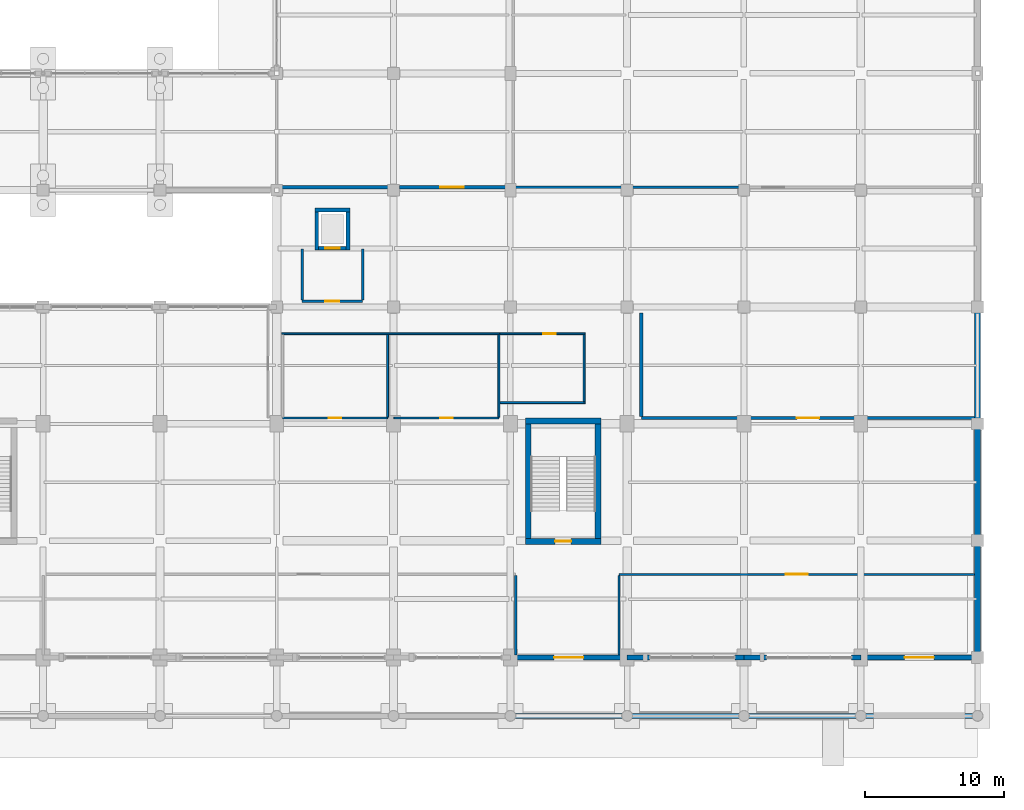
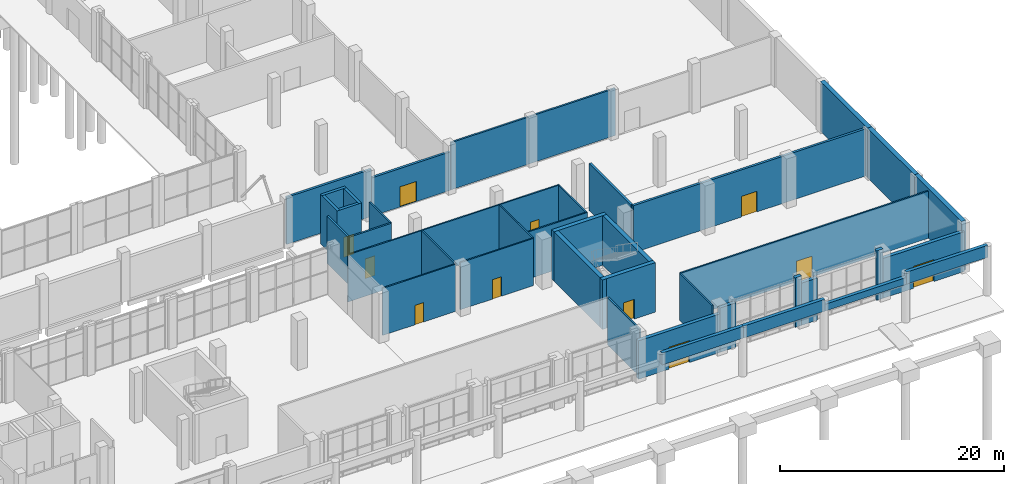
# One storey, part 71 of 82: 40 walls, 11 doors, 11 openings.
"""IFC4 building model written with IfcOpenShell, lengths in metres."""

from ifc_helpers import new_model, si_unit, derived_unit, direction, frame, frame_2d, origin, place, context, subcontext, project, spatial, rectangle, extrude, material, layer, layer_set, type_object, element, fill, save


model = new_model("IFC4")

# Units and contexts
model_context = context("Model", 3, precision=1e-05, world=origin(), true_north=direction((0.0, 1.0)))
body_context = subcontext(model_context, "Body", "Model", "MODEL_VIEW")
ifc_project = project(units=[si_unit("LENGTHUNIT", "METRE"), si_unit("AREAUNIT", "SQUARE_METRE"), si_unit("VOLUMEUNIT", "CUBIC_METRE"), si_unit("PLANEANGLEUNIT", "RADIAN"), si_unit("MASSUNIT", "GRAM", prefix="KILO"), derived_unit("THERMALTRANSMITTANCEUNIT", [(si_unit("POWERUNIT", "WATT"), 1), (si_unit("LENGTHUNIT", "METRE"), -2), (si_unit("THERMODYNAMICTEMPERATUREUNIT", "KELVIN"), -1)])], contexts=[model_context])

# Site, building, storey
site_placement = place(None, origin())
site = spatial("IfcSite", under=ifc_project, at=site_placement, CompositionType="ELEMENT")
building_placement = place(site_placement, origin())
building = spatial("IfcBuilding", under=site, at=building_placement, Name="Barrovel Congress Hotel", CompositionType="ELEMENT")
storey_placement = place(building_placement, origin())
storey = spatial("IfcBuildingStorey", under=building, at=storey_placement, Name="L00", CompositionType="ELEMENT", Elevation=0.0)

# Walls
ifc_material_1 = material(Name="Fired Clay Brick Masonry", Category="masonry")
ifc_layer_1 = layer(ifc_material_1, 0.35009765625)
ifc_layer_set_1 = layer_set([ifc_layer_1], Name="Fired Clay Brick Masonry")
wall_type_1 = type_object("IfcWallType", Name="EW-ARC350", PredefinedType="STANDARD", material=ifc_layer_set_1)
wall_1_placement = place(storey_placement, frame((142.800048828125, 0.0, 4.10009765625), z_axis=(0.0, 0.0, 1.0), x_axis=(1.0, 0.0, 0.0)))
element("IfcWall", 1, at=wall_1_placement, inside=storey, type_object=wall_type_1, Name="EW:L00:ARC:17", PredefinedType="STANDARD", context=body_context, shape_type="SweptSolid", body=[
    extrude(rectangle(XDim=8.39990234375, YDim=0.35009765625, at=frame_2d((4.199951171875, 0.0))), origin(), (0.0, 0.0, 1.0), 1.2998046875),
])
wall_2_placement = place(storey_placement, frame((151.199951171875, 0.0, 4.10009765625), z_axis=(0.0, 0.0, 1.0), x_axis=(1.0, 0.0, 0.0)))
element("IfcWall", 2, at=wall_2_placement, inside=storey, type_object=wall_type_1, Name="EW:L00:ARC:18", PredefinedType="STANDARD", context=body_context, shape_type="SweptSolid", body=[
    extrude(rectangle(XDim=8.400146484375, YDim=0.35009765625, at=frame_2d((4.2001953125, 0.0))), origin(), (0.0, 0.0, 1.0), 1.2998046875),
])
wall_3_placement = place(storey_placement, frame((159.60009765625, 0.0, 4.10009765625), z_axis=(0.0, 0.0, 1.0), x_axis=(1.0, 0.0, 0.0)))
element("IfcWall", 3, at=wall_3_placement, inside=storey, type_object=wall_type_1, Name="EW:L00:ARC:19", PredefinedType="STANDARD", context=body_context, shape_type="SweptSolid", body=[
    extrude(rectangle(XDim=8.39990234375, YDim=0.35009765625, at=frame_2d((4.199951171875, 0.0))), origin(), (0.0, 0.0, 1.0), 0.735107421875),
])
wall_4_placement = place(storey_placement, frame((168.0, 0.0, 4.10009765625), z_axis=(0.0, 0.0, 1.0), x_axis=(1.0, 0.0, 0.0)))
element("IfcWall", 4, at=wall_4_placement, inside=storey, type_object=wall_type_1, Name="EW:L00:ARC:20", PredefinedType="STANDARD", context=body_context, shape_type="SweptSolid", body=[
    extrude(rectangle(XDim=8.39990234375, YDim=0.35009765625, at=frame_2d((4.199951171875, 0.0))), origin(), (0.0, 0.0, 1.0), 1.2998046875),
])

# Wall, opening, door
ifc_layer_2 = layer(ifc_material_1, 0.360107421875)
ifc_layer_set_2 = layer_set([ifc_layer_2], Name="Fired Clay Brick Masonry")
wall_type_2 = type_object("IfcWallType", Name="EW-BRK360", PredefinedType="STANDARD", material=ifc_layer_set_2)
wall_5_placement = place(storey_placement, frame((142.800048828125, 4.199951171875, 0.0), z_axis=(0.0, 0.0, 1.0), x_axis=(1.0, 0.0, 0.0)))
wall_5 = element("IfcWall", 5, at=wall_5_placement, inside=storey, type_object=wall_type_2, Name="EW:L00:S:17", PredefinedType="STANDARD", context=body_context, shape_type="SweptSolid", body=[
    extrude(rectangle(XDim=8.39990234375, YDim=0.360107421875, at=frame_2d((4.199951171875, 0.0))), origin(), (0.0, 0.0, 1.0), 4.18994140625),
])
opening_1_placement = place(wall_5_placement, frame((5.25, 0.0, 0.0), z_axis=(0.0, 0.0, 1.0), x_axis=(-1.0, 0.0, 0.0)))
opening_1 = element("IfcOpeningElement", 6, at=opening_1_placement, cuts=wall_5, Name="Opening ED-01", PredefinedType="OPENING", context=body_context, shape_type="SweptSolid", body=[
    extrude(rectangle(XDim=2.10009765625, YDim=2.39990234375, at=frame_2d((1.050048828125, 1.199951171875))), frame((0.0, 0.18994140625, 0.0), z_axis=(0.0, -1.0, 0.0), x_axis=(1.0, 0.0, 0.0)), (0.0, 0.0, 1.0), 0.380126953125),
])
ifc_material_2 = material(Name="Anodised Aluminium Glazed Door", Category="aluminium")
door_type_1 = type_object("IfcDoorType", Name="EDR-ED-01", OperationType="NOTDEFINED", PredefinedType="DOOR", material=ifc_material_2)
door_1_placement = place(opening_1_placement, origin())
door_1 = element("IfcDoor", 7, at=door_1_placement, inside=storey, type_object=door_type_1, Name="Grade Exit Door E-05", OperationType="DOUBLE_DOOR_SINGLE_SWING", OverallHeight=2.39990234375, OverallWidth=2.10009765625, PredefinedType="DOOR", context=body_context, shape_type="SweptSolid", body=[
    extrude(rectangle(XDim=2.10009765625, YDim=2.39990234375, at=frame_2d((1.050048828125, 1.199951171875))), frame((0.0, 0.02490234375, 0.0), z_axis=(0.0, -1.0, 0.0), x_axis=(1.0, 0.0, 0.0)), (0.0, 0.0, 1.0), 0.050048828125),
])
fill(opening_1, door_1)

# Walls
wall_6_placement = place(storey_placement, frame((151.199951171875, 4.199951171875, 0.0), z_axis=(0.0, 0.0, 1.0), x_axis=(1.0, 0.0, 0.0)))
element("IfcWall", 8, at=wall_6_placement, inside=storey, type_object=wall_type_2, Name="EW:L00:SJ-L:18", PredefinedType="STANDARD", context=body_context, shape_type="SweptSolid", body=[
    extrude(rectangle(XDim=1.6201171875, YDim=0.360107421875, at=frame_2d((0.81005859375, 0.0))), origin(), (0.0, 0.0, 1.0), 4.830078125),
])
wall_7_placement = place(storey_placement, frame((158.93994140625, 4.199951171875, 0.0), z_axis=(0.0, 0.0, 1.0), x_axis=(1.0, 0.0, 0.0)))
element("IfcWall", 9, at=wall_7_placement, inside=storey, type_object=wall_type_2, Name="EW:L00:SJ-R:18", PredefinedType="STANDARD", context=body_context, shape_type="SweptSolid", body=[
    extrude(rectangle(XDim=0.66015625, YDim=0.360107421875, at=frame_2d((0.330078125, 0.0))), origin(), (0.0, 0.0, 1.0), 5.39990234375),
])
wall_8_placement = place(storey_placement, frame((159.60009765625, 4.199951171875, 0.0), z_axis=(0.0, 0.0, 1.0), x_axis=(1.0, 0.0, 0.0)))
element("IfcWall", 10, at=wall_8_placement, inside=storey, type_object=wall_type_2, Name="EW:L00:SJ-L:19", PredefinedType="STANDARD", context=body_context, shape_type="SweptSolid", body=[
    extrude(rectangle(XDim=1.619873046875, YDim=0.360107421875, at=frame_2d((0.81005859375, 0.0))), origin(), (0.0, 0.0, 1.0), 4.60693359375),
])
wall_9_placement = place(storey_placement, frame((167.340087890625, 4.199951171875, 0.0), z_axis=(0.0, 0.0, 1.0), x_axis=(1.0, 0.0, 0.0)))
element("IfcWall", 11, at=wall_9_placement, inside=storey, type_object=wall_type_2, Name="EW:L00:SJ-R:19", PredefinedType="STANDARD", context=body_context, shape_type="SweptSolid", body=[
    extrude(rectangle(XDim=0.659912109375, YDim=0.360107421875, at=frame_2d((0.330078125, 0.0))), origin(), (0.0, 0.0, 1.0), 5.39990234375),
])

# Wall, opening, door
wall_10_placement = place(storey_placement, frame((168.0, 4.199951171875, 0.0), z_axis=(0.0, 0.0, 1.0), x_axis=(1.0, 0.0, 0.0)))
wall_10 = element("IfcWall", 12, at=wall_10_placement, inside=storey, type_object=wall_type_2, Name="EW:L00:S:20", PredefinedType="STANDARD", context=body_context, shape_type="SweptSolid", body=[
    extrude(rectangle(XDim=8.39990234375, YDim=0.360107421875, at=frame_2d((4.199951171875, 0.0))), origin(), (0.0, 0.0, 1.0), 4.340087890625),
])
opening_2_placement = place(wall_10_placement, frame((5.25, 0.0, 0.0), z_axis=(0.0, 0.0, 1.0), x_axis=(-1.0, 0.0, 0.0)))
opening_2 = element("IfcOpeningElement", 13, at=opening_2_placement, cuts=wall_10, Name="Opening ED-01", PredefinedType="OPENING", context=body_context, shape_type="SweptSolid", body=[
    extrude(rectangle(XDim=2.10009765625, YDim=2.39990234375, at=frame_2d((1.050048828125, 1.199951171875))), frame((0.0, 0.18994140625, 0.0), z_axis=(0.0, -1.0, 0.0), x_axis=(1.0, 0.0, 0.0)), (0.0, 0.0, 1.0), 0.380126953125),
])
door_2_placement = place(opening_2_placement, origin())
door_2 = element("IfcDoor", 14, at=door_2_placement, inside=storey, type_object=door_type_1, Name="Grade Exit Door E-06", OperationType="DOUBLE_DOOR_SINGLE_SWING", OverallHeight=2.39990234375, OverallWidth=2.10009765625, PredefinedType="DOOR", context=body_context, shape_type="SweptSolid", body=[
    extrude(rectangle(XDim=2.10009765625, YDim=2.39990234375, at=frame_2d((1.050048828125, 1.199951171875))), frame((0.0, 0.02490234375, 0.0), z_axis=(0.0, -1.0, 0.0), x_axis=(1.0, 0.0, 0.0)), (0.0, 0.0, 1.0), 0.050048828125),
])
fill(opening_2, door_2)

# Walls
ifc_layer_3 = layer(ifc_material_1, 0.449951171875)
ifc_layer_set_3 = layer_set([ifc_layer_3], Name="Fired Clay Brick Masonry")
wall_type_3 = type_object("IfcWallType", Name="EW-PW450", PredefinedType="STANDARD", material=ifc_layer_set_3)
wall_11_placement = place(storey_placement, frame((176.39990234375, 4.199951171875, 0.0), z_axis=(0.0, 0.0, 1.0), x_axis=(0.0, 1.0, 0.0)))
element("IfcWall", 15, at=wall_11_placement, inside=storey, type_object=wall_type_3, Name="EW:L00:PARTY:4.2", PredefinedType="STANDARD", context=body_context, shape_type="SweptSolid", body=[
    extrude(rectangle(XDim=8.400146484375, YDim=0.449951171875, at=frame_2d((4.2001953125, 0.0))), origin(), (0.0, 0.0, 1.0), 5.39990234375),
])
for number, where, z_axis, x_axis, name in (
    (16, (176.39990234375, 12.60009765625, 0.0), (0.0, 0.0, 1.0), (0.0, 1.0, 0.0), "EW:L00:PARTY:12.6"),
    (17, (176.39990234375, 21.0, 0.0), (0.0, 0.0, 1.0), (0.0, 1.0, 0.0), "EW:L00:PARTY:21.0"),
):
    element("IfcWall", number, at=place(storey_placement, frame(where, z_axis=z_axis, x_axis=x_axis)), inside=storey, type_object=wall_type_3, Name=name, PredefinedType="STANDARD", context=body_context, shape_type="SweptSolid", body=[
        extrude(rectangle(XDim=8.39990234375, YDim=0.449951171875, at=frame_2d((4.199951171875, 0.0))), origin(), (0.0, 0.0, 1.0), 5.39990234375),
    ])

# Wall, opening, door
ifc_material_3 = material(Name="Gypsum Acoustic Stud", Category="gypsum")
ifc_layer_4 = layer(ifc_material_3, 0.179931640625)
ifc_layer_set_4 = layer_set([ifc_layer_4], Name="Gypsum Acoustic Stud")
wall_type_4 = type_object("IfcWallType", Name="PW-ACU-180", PredefinedType="PARTITIONING", material=ifc_layer_set_4)
wall_12_placement = place(storey_placement, frame((127.820068359375, 29.820068359375, 0.0), z_axis=(0.0, 0.0, 1.0), x_axis=(1.0, 0.0, 0.0)))
wall_12 = element("IfcWall", 18, at=wall_12_placement, inside=storey, type_object=wall_type_4, Name="RW:SP:L00:LL-CL2:S", PredefinedType="PARTITIONING", context=body_context, shape_type="SweptSolid", body=[
    extrude(rectangle(XDim=4.35986328125, YDim=0.179931640625, at=frame_2d((2.179931640625, 0.0))), origin(), (0.0, 0.0, 1.0), 5.135009765625),
])
opening_3_placement = place(wall_12_placement, frame((1.669921875, 0.0, 0.0)))
opening_3 = element("IfcOpeningElement", 19, at=opening_3_placement, cuts=wall_12, Name="Opening ID-ACC", PredefinedType="OPENING", context=body_context, shape_type="SweptSolid", body=[
    extrude(rectangle(XDim=1.02001953125, YDim=2.14990234375, at=frame_2d((0.510009765625, 1.074951171875))), frame((0.0, 0.10009765625, 0.0), z_axis=(0.0, -1.0, 0.0), x_axis=(1.0, 0.0, 0.0)), (0.0, 0.0, 1.0), 0.199951171875),
])
ifc_material_4 = material(Name="Solid Oak Acoustic Timber Door", Category="wood")
door_type_2 = type_object("IfcDoorType", Name="IDR-ID-ACC", OperationType="NOTDEFINED", PredefinedType="DOOR", material=ifc_material_4)
door_3_placement = place(opening_3_placement, origin())
door_3 = element("IfcDoor", 20, at=door_3_placement, inside=storey, type_object=door_type_2, Name="RD:SP:L00:LL-CL2", OperationType="SINGLE_SWING_LEFT", OverallHeight=2.14990234375, OverallWidth=1.02001953125, PredefinedType="DOOR", context=body_context, shape_type="SweptSolid", body=[
    extrude(rectangle(XDim=1.02001953125, YDim=2.14990234375, at=frame_2d((0.510009765625, 1.074951171875))), frame((0.0, 0.02490234375, 0.0), z_axis=(0.0, -1.0, 0.0), x_axis=(1.0, 0.0, 0.0)), (0.0, 0.0, 1.0), 0.050048828125),
])
fill(opening_3, door_3)

# Walls
for number, where, z_axis, x_axis, name in (
    (21, (127.820068359375, 29.909912109375, 0.0), (0.0, 0.0, 1.0), (0.0, 1.0, 0.0), "RW:SP:L00:LL-CL2:W"),
    (22, (132.179931640625, 29.909912109375, 0.0), (0.0, 0.0, 1.0), (0.0, 1.0, 0.0), "RW:SP:L00:LL-CL2:E"),
):
    element("IfcWall", number, at=place(storey_placement, frame(where, z_axis=z_axis, x_axis=x_axis)), inside=storey, type_object=wall_type_4, Name=name, PredefinedType="PARTITIONING", context=body_context, shape_type="SweptSolid", body=[
        extrude(rectangle(XDim=3.670166015625, YDim=0.179931640625, at=frame_2d((1.8349609375, 0.0))), origin(), (0.0, 0.0, 1.0), 5.135009765625),
    ])
wall_13_placement = place(storey_placement, frame((143.179931640625, 4.3798828125, 0.0), z_axis=(0.0, 0.0, 1.0), x_axis=(0.0, 1.0, 0.0)))
element("IfcWall", 23, at=wall_13_placement, inside=storey, type_object=wall_type_4, Name="RW:SP:L00:ADD:E", PredefinedType="PARTITIONING", context=body_context, shape_type="SweptSolid", body=[
    extrude(rectangle(XDim=5.710205078125, YDim=0.179931640625, at=frame_2d((2.85498046875, 0.0))), origin(), (0.0, 0.0, 1.0), 5.135009765625),
])
wall_14_placement = place(storey_placement, frame((143.02001953125, 38.02001953125, 0.0), z_axis=(0.0, 0.0, 1.0), x_axis=(1.0, 0.0, 0.0)))
element("IfcWall", 24, at=wall_14_placement, inside=storey, type_object=wall_type_4, Name="RW:SP:L00:BALL:S", PredefinedType="PARTITIONING", context=body_context, shape_type="SweptSolid", body=[
    extrude(rectangle(XDim=16.97998046875, YDim=0.179931640625, at=frame_2d((8.489990234375, 0.0))), origin(), (0.0, 0.0, 1.0), 5.135009765625),
])

# Wall, opening, door
ifc_layer_5 = layer(ifc_material_1, 0.239990234375)
ifc_layer_set_5 = layer_set([ifc_layer_5], Name="Fired Clay Brick Masonry")
wall_type_5 = type_object("IfcWallType", Name="PW-MAS-240", PredefinedType="PARTITIONING", material=ifc_layer_set_5)
wall_15_placement = place(storey_placement, frame((152.219970703125, 21.419921875, 0.0), z_axis=(0.0, 0.0, 1.0), x_axis=(1.0, 0.0, 0.0)))
wall_15 = element("IfcWall", 25, at=wall_15_placement, inside=storey, type_object=wall_type_5, Name="RW:SP:L00:LUGG:S", PredefinedType="PARTITIONING", context=body_context, shape_type="SweptSolid", body=[
    extrude(rectangle(XDim=23.955078125, YDim=0.239990234375, at=frame_2d((11.9775390625, 0.0))), origin(), (0.0, 0.0, 1.0), 5.135009765625),
])
opening_4_placement = place(wall_15_placement, frame((11.177490234375, 0.0, 0.0)))
opening_4 = element("IfcOpeningElement", 26, at=opening_4_placement, cuts=wall_15, Name="Opening ID-MTG", PredefinedType="OPENING", context=body_context, shape_type="SweptSolid", body=[
    extrude(rectangle(XDim=1.60009765625, YDim=2.25, at=frame_2d((0.800048828125, 1.125))), frame((0.0, 0.1298828125, 0.0), z_axis=(0.0, -1.0, 0.0), x_axis=(1.0, 0.0, 0.0)), (0.0, 0.0, 1.0), 0.260009765625),
])
door_type_3 = type_object("IfcDoorType", Name="IDR-ID-MTG", OperationType="NOTDEFINED", PredefinedType="DOOR", material=ifc_material_4)
door_4_placement = place(opening_4_placement, origin())
door_4 = element("IfcDoor", 27, at=door_4_placement, inside=storey, type_object=door_type_3, Name="RD:SP:L00:LUGG", OperationType="DOUBLE_DOOR_SINGLE_SWING", OverallHeight=2.25, OverallWidth=1.60009765625, PredefinedType="DOOR", context=body_context, shape_type="SweptSolid", body=[
    extrude(rectangle(XDim=1.60009765625, YDim=2.25, at=frame_2d((0.800048828125, 1.125))), frame((0.0, 0.02490234375, 0.0), z_axis=(0.0, -1.0, 0.0), x_axis=(1.0, 0.0, 0.0)), (0.0, 0.0, 1.0), 0.050048828125),
])
fill(opening_4, door_4)

# Walls
wall_16_placement = place(storey_placement, frame((152.219970703125, 21.5400390625, 0.0), z_axis=(0.0, 0.0, 1.0), x_axis=(0.0, 1.0, 0.0)))
element("IfcWall", 28, at=wall_16_placement, inside=storey, type_object=wall_type_5, Name="RW:SP:L00:LUGG:W", PredefinedType="PARTITIONING", context=body_context, shape_type="SweptSolid", body=[
    extrude(rectangle(XDim=7.43994140625, YDim=0.239990234375, at=frame_2d((3.719970703125, 0.0))), origin(), (0.0, 0.0, 1.0), 5.135009765625),
])
wall_17_placement = place(storey_placement, frame((126.080078125, 38.02001953125, 0.0), z_axis=(0.0, 0.0, 1.0), x_axis=(1.0, 0.0, 0.0)))
element("IfcWall", 29, at=wall_17_placement, inside=storey, type_object=wall_type_5, Name="RW:SP:L00:MKIT:S", PredefinedType="PARTITIONING", context=body_context, shape_type="SweptSolid", body=[
    extrude(rectangle(XDim=8.744873046875, YDim=0.239990234375, at=frame_2d((4.37255859375, 0.0))), origin(), (0.0, 0.0, 1.0), 5.135009765625),
])

# Wall, opening, door
wall_18_placement = place(storey_placement, frame((134.824951171875, 38.02001953125, 0.0), z_axis=(0.0, 0.0, 1.0), x_axis=(1.0, 0.0, 0.0)))
wall_18 = element("IfcWall", 30, at=wall_18_placement, inside=storey, type_object=wall_type_5, Name="RW:SP:L00:MKIT:S:P02", PredefinedType="PARTITIONING", context=body_context, shape_type="SweptSolid", body=[
    extrude(rectangle(XDim=8.1201171875, YDim=0.239990234375, at=frame_2d((4.06005859375, 0.0))), origin(), (0.0, 0.0, 1.0), 4.18994140625),
])
opening_5_placement = place(wall_18_placement, frame((2.925048828125, 0.0, 0.0)))
opening_5 = element("IfcOpeningElement", 31, at=opening_5_placement, cuts=wall_18, Name="Opening ID-KIT", PredefinedType="OPENING", context=body_context, shape_type="SweptSolid", body=[
    extrude(rectangle(XDim=1.699951171875, YDim=2.199951171875, at=frame_2d((0.85009765625, 1.10009765625))), frame((0.0, 0.1298828125, 0.0), z_axis=(0.0, -1.0, 0.0), x_axis=(1.0, 0.0, 0.0)), (0.0, 0.0, 1.0), 0.260009765625),
])
ifc_material_5 = material(Name="Brushed Stainless Steel", Category="steel")
door_type_4 = type_object("IfcDoorType", Name="IDR-ID-KIT", OperationType="NOTDEFINED", PredefinedType="DOOR", material=ifc_material_5)
door_5_placement = place(opening_5_placement, origin())
door_5 = element("IfcDoor", 32, at=door_5_placement, inside=storey, type_object=door_type_4, Name="RD:SP:L00:MKIT", OperationType="DOUBLE_DOOR_SINGLE_SWING", OverallHeight=2.199951171875, OverallWidth=1.699951171875, PredefinedType="DOOR", context=body_context, shape_type="SweptSolid", body=[
    extrude(rectangle(XDim=1.699951171875, YDim=2.199951171875, at=frame_2d((0.85009765625, 1.10009765625))), frame((0.0, 0.02490234375, 0.0), z_axis=(0.0, -1.0, 0.0), x_axis=(1.0, 0.0, 0.0)), (0.0, 0.0, 1.0), 0.050048828125),
])
fill(opening_5, door_5)

ifc_layer_6 = layer(ifc_material_3, 0.14990234375)
ifc_layer_set_6 = layer_set([ifc_layer_6], Name="Gypsum Acoustic Stud")
wall_type_6 = type_object("IfcWallType", Name="PW-STD-150", PredefinedType="PARTITIONING", material=ifc_layer_set_6)
wall_19_placement = place(storey_placement, frame((150.6201171875, 10.179931640625, 0.0), z_axis=(0.0, 0.0, 1.0), x_axis=(1.0, 0.0, 0.0)))
wall_19 = element("IfcWall", 33, at=wall_19_placement, inside=storey, type_object=wall_type_6, Name="RW:SP:L00:SPEC-R:N", PredefinedType="PARTITIONING", context=body_context, shape_type="SweptSolid", body=[
    extrude(rectangle(XDim=25.554931640625, YDim=0.14990234375, at=frame_2d((12.77734375, 0.0))), origin(), (0.0, 0.0, 1.0), 5.135009765625),
])
opening_6_placement = place(wall_19_placement, frame((11.9775390625, 0.0, 0.0)))
opening_6 = element("IfcOpeningElement", 34, at=opening_6_placement, cuts=wall_19, Name="Opening ID-MTG", PredefinedType="OPENING", context=body_context, shape_type="SweptSolid", body=[
    extrude(rectangle(XDim=1.60009765625, YDim=2.25, at=frame_2d((0.800048828125, 1.125))), frame((0.0, 0.0849609375, 0.0), z_axis=(0.0, -1.0, 0.0), x_axis=(1.0, 0.0, 0.0)), (0.0, 0.0, 1.0), 0.169921875),
])
door_6_placement = place(opening_6_placement, origin())
door_6 = element("IfcDoor", 35, at=door_6_placement, inside=storey, type_object=door_type_3, Name="RD:SP:L00:SPEC-R", OperationType="DOUBLE_DOOR_SINGLE_SWING", OverallHeight=2.25, OverallWidth=1.60009765625, PredefinedType="DOOR", context=body_context, shape_type="SweptSolid", body=[
    extrude(rectangle(XDim=1.60009765625, YDim=2.25, at=frame_2d((0.800048828125, 1.125))), frame((0.0, 0.02490234375, 0.0), z_axis=(0.0, -1.0, 0.0), x_axis=(1.0, 0.0, 0.0)), (0.0, 0.0, 1.0), 0.050048828125),
])
fill(opening_6, door_6)

# Walls
wall_20_placement = place(storey_placement, frame((150.6201171875, 4.3798828125, 0.0), z_axis=(0.0, 0.0, 1.0), x_axis=(0.0, 1.0, 0.0)))
element("IfcWall", 36, at=wall_20_placement, inside=storey, type_object=wall_type_6, Name="RW:SP:L00:SPEC-R:W", PredefinedType="PARTITIONING", context=body_context, shape_type="SweptSolid", body=[
    extrude(rectangle(XDim=5.72509765625, YDim=0.14990234375, at=frame_2d((2.862548828125, 0.0))), origin(), (0.0, 0.0, 1.0), 5.135009765625),
])
ifc_material_6 = material(Name="Gypsum Moisture Board", Category="gypsum")
ifc_layer_7 = layer(ifc_material_6, 0.139892578125)
ifc_layer_set_7 = layer_set([ifc_layer_7], Name="Gypsum Moisture Board")
wall_type_7 = type_object("IfcWallType", Name="PW-WET-140", PredefinedType="PARTITIONING", material=ifc_layer_set_7)
wall_21_placement = place(storey_placement, frame((126.35009765625, 27.47998046875, 0.0), z_axis=(0.0, 0.0, 1.0), x_axis=(1.0, 0.0, 0.0)))
element("IfcWall", 37, at=wall_21_placement, inside=storey, type_object=wall_type_7, Name="RW:SP:L00:WCB:N", PredefinedType="PARTITIONING", context=body_context, shape_type="SweptSolid", body=[
    extrude(rectangle(XDim=15.699951171875, YDim=0.139892578125, at=frame_2d((7.85009765625, 0.0))), origin(), (0.0, 0.0, 1.0), 5.135009765625),
])

# Wall, opening, door
wall_22_placement = place(storey_placement, frame((126.419921875, 21.419921875, 0.0), z_axis=(0.0, 0.0, 1.0), x_axis=(1.0, 0.0, 0.0)))
wall_22 = element("IfcWall", 38, at=wall_22_placement, inside=storey, type_object=wall_type_7, Name="RW:SP:L00:WC-M0:S", PredefinedType="PARTITIONING", context=body_context, shape_type="SweptSolid", body=[
    extrude(rectangle(XDim=7.56005859375, YDim=0.139892578125, at=frame_2d((3.780029296875, 0.0))), origin(), (0.0, 0.0, 1.0), 5.135009765625),
])
opening_7_placement = place(wall_22_placement, frame((3.330078125, 0.0, 0.0)))
opening_7 = element("IfcOpeningElement", 39, at=opening_7_placement, cuts=wall_22, Name="Opening ID-WC1", PredefinedType="OPENING", context=body_context, shape_type="SweptSolid", body=[
    extrude(rectangle(XDim=0.89990234375, YDim=2.1201171875, at=frame_2d((0.449951171875, 1.06005859375))), frame((0.0, 0.080078125, 0.0), z_axis=(0.0, -1.0, 0.0), x_axis=(1.0, 0.0, 0.0)), (0.0, 0.0, 1.0), 0.159912109375),
])
ifc_material_7 = material(Name="Lacquered Timber Moisture Door", Category="wood")
door_type_5 = type_object("IfcDoorType", Name="IDR-ID-WC1", OperationType="NOTDEFINED", PredefinedType="DOOR", material=ifc_material_7)
door_7_placement = place(opening_7_placement, origin())
door_7 = element("IfcDoor", 40, at=door_7_placement, inside=storey, type_object=door_type_5, Name="RD:SP:L00:WC-M0", OperationType="SINGLE_SWING_LEFT", OverallHeight=2.1201171875, OverallWidth=0.89990234375, PredefinedType="DOOR", context=body_context, shape_type="SweptSolid", body=[
    extrude(rectangle(XDim=0.89990234375, YDim=2.1201171875, at=frame_2d((0.449951171875, 1.06005859375))), frame((0.0, 0.02490234375, 0.0), z_axis=(0.0, -1.0, 0.0), x_axis=(1.0, 0.0, 0.0)), (0.0, 0.0, 1.0), 0.050048828125),
])
fill(opening_7, door_7)

# Wall
wall_23_placement = place(storey_placement, frame((133.97998046875, 21.489990234375, 0.0), z_axis=(0.0, 0.0, 1.0), x_axis=(0.0, 1.0, 0.0)))
element("IfcWall", 41, at=wall_23_placement, inside=storey, type_object=wall_type_7, Name="RW:SP:L00:WC-M0:E", PredefinedType="PARTITIONING", context=body_context, shape_type="SweptSolid", body=[
    extrude(rectangle(XDim=5.919921875, YDim=0.139892578125, at=frame_2d((2.9599609375, 0.0))), origin(), (0.0, 0.0, 1.0), 5.135009765625),
])

# Wall, opening, door
wall_24_placement = place(storey_placement, frame((134.419921875, 21.419921875, 0.0), z_axis=(0.0, 0.0, 1.0), x_axis=(1.0, 0.0, 0.0)))
wall_24 = element("IfcWall", 42, at=wall_24_placement, inside=storey, type_object=wall_type_7, Name="RW:SP:L00:WC-F0:S", PredefinedType="PARTITIONING", context=body_context, shape_type="SweptSolid", body=[
    extrude(rectangle(XDim=7.56005859375, YDim=0.139892578125, at=frame_2d((3.780029296875, 0.0))), origin(), (0.0, 0.0, 1.0), 5.135009765625),
])
opening_8_placement = place(wall_24_placement, frame((3.330078125, 0.0, 0.0)))
opening_8 = element("IfcOpeningElement", 43, at=opening_8_placement, cuts=wall_24, Name="Opening ID-WC1", PredefinedType="OPENING", context=body_context, shape_type="SweptSolid", body=[
    extrude(rectangle(XDim=0.89990234375, YDim=2.1201171875, at=frame_2d((0.449951171875, 1.06005859375))), frame((0.0, 0.080078125, 0.0), z_axis=(0.0, -1.0, 0.0), x_axis=(1.0, 0.0, 0.0)), (0.0, 0.0, 1.0), 0.159912109375),
])
door_8_placement = place(opening_8_placement, origin())
door_8 = element("IfcDoor", 44, at=door_8_placement, inside=storey, type_object=door_type_5, Name="RD:SP:L00:WC-F0", OperationType="SINGLE_SWING_RIGHT", OverallHeight=2.1201171875, OverallWidth=0.89990234375, PredefinedType="DOOR", context=body_context, shape_type="SweptSolid", body=[
    extrude(rectangle(XDim=0.89990234375, YDim=2.1201171875, at=frame_2d((0.449951171875, 1.06005859375))), frame((0.0, 0.02490234375, 0.0), z_axis=(0.0, -1.0, 0.0), x_axis=(1.0, 0.0, 0.0)), (0.0, 0.0, 1.0), 0.050048828125),
])
fill(opening_8, door_8)

# Walls
wall_25_placement = place(storey_placement, frame((141.97998046875, 21.489990234375, 0.0), z_axis=(0.0, 0.0, 1.0), x_axis=(0.0, 1.0, 0.0)))
element("IfcWall", 45, at=wall_25_placement, inside=storey, type_object=wall_type_7, Name="RW:SP:L00:WC-F0:E", PredefinedType="PARTITIONING", context=body_context, shape_type="SweptSolid", body=[
    extrude(rectangle(XDim=5.919921875, YDim=0.139892578125, at=frame_2d((2.9599609375, 0.0))), origin(), (0.0, 0.0, 1.0), 5.135009765625),
])
wall_26_placement = place(storey_placement, frame((142.050048828125, 22.52001953125, 0.0), z_axis=(0.0, 0.0, 1.0), x_axis=(1.0, 0.0, 0.0)))
element("IfcWall", 46, at=wall_26_placement, inside=storey, type_object=wall_type_7, Name="RW:SP:L00:WC-A0:S", PredefinedType="PARTITIONING", context=body_context, shape_type="SweptSolid", body=[
    extrude(rectangle(XDim=6.119873046875, YDim=0.139892578125, at=frame_2d((3.06005859375, 0.0))), origin(), (0.0, 0.0, 1.0), 5.135009765625),
])
wall_27_placement = place(storey_placement, frame((148.10009765625, 22.590087890625, 0.0), z_axis=(0.0, 0.0, 1.0), x_axis=(0.0, 1.0, 0.0)))
element("IfcWall", 47, at=wall_27_placement, inside=storey, type_object=wall_type_7, Name="RW:SP:L00:WC-A0:E", PredefinedType="PARTITIONING", context=body_context, shape_type="SweptSolid", body=[
    extrude(rectangle(XDim=4.81982421875, YDim=0.139892578125, at=frame_2d((2.409912109375, 0.0))), origin(), (0.0, 0.0, 1.0), 5.135009765625),
])

# Wall, opening, door
wall_28_placement = place(storey_placement, frame((142.050048828125, 27.47998046875, 0.0), z_axis=(0.0, 0.0, 1.0), x_axis=(1.0, 0.0, 0.0)))
wall_28 = element("IfcWall", 48, at=wall_28_placement, inside=storey, type_object=wall_type_7, Name="RW:SP:L00:WC-A0:N", PredefinedType="PARTITIONING", context=body_context, shape_type="SweptSolid", body=[
    extrude(rectangle(XDim=6.119873046875, YDim=0.139892578125, at=frame_2d((3.06005859375, 0.0))), origin(), (0.0, 0.0, 1.0), 5.135009765625),
])
opening_9_placement = place(wall_28_placement, frame((3.10009765625, 0.0, 0.0)))
opening_9 = element("IfcOpeningElement", 49, at=opening_9_placement, cuts=wall_28, Name="Opening ID-WC1", PredefinedType="OPENING", context=body_context, shape_type="SweptSolid", body=[
    extrude(rectangle(XDim=0.89990234375, YDim=2.1201171875, at=frame_2d((0.449951171875, 1.06005859375))), frame((0.0, 0.080078125, 0.0), z_axis=(0.0, -1.0, 0.0), x_axis=(1.0, 0.0, 0.0)), (0.0, 0.0, 1.0), 0.159912109375),
])
door_9_placement = place(opening_9_placement, origin())
door_9 = element("IfcDoor", 50, at=door_9_placement, inside=storey, type_object=door_type_5, Name="RD:SP:L00:WC-A0", OperationType="SINGLE_SWING_LEFT", OverallHeight=2.1201171875, OverallWidth=0.89990234375, PredefinedType="DOOR", context=body_context, shape_type="SweptSolid", body=[
    extrude(rectangle(XDim=0.89990234375, YDim=2.1201171875, at=frame_2d((0.449951171875, 1.06005859375))), frame((0.0, 0.02490234375, 0.0), z_axis=(0.0, -1.0, 0.0), x_axis=(1.0, 0.0, 0.0)), (0.0, 0.0, 1.0), 0.050048828125),
])
fill(opening_9, door_9)

ifc_material_8 = material(Name="Concrete C40", Category="concrete")
ifc_layer_8 = layer(ifc_material_8, 0.280029296875)
ifc_layer_set_8 = layer_set([ifc_layer_8], Name="Concrete C40")
wall_type_8 = type_object("IfcWallType", Name="SW-C40-280", PredefinedType="SHEAR", material=ifc_layer_set_8)
wall_29_placement = place(storey_placement, frame((128.739990234375, 33.6298828125, 0.0), z_axis=(0.0, 0.0, 1.0), x_axis=(1.0, 0.0, 0.0)))
wall_29 = element("IfcWall", 51, at=wall_29_placement, inside=storey, type_object=wall_type_8, Name="LSH:CL-2:L00:S", PredefinedType="SHEAR", context=body_context, shape_type="SweptSolid", body=[
    extrude(rectangle(XDim=2.52001953125, YDim=0.280029296875, at=frame_2d((1.260009765625, 0.0))), origin(), (0.0, 0.0, 1.0), 5.39990234375),
])
opening_10_placement = place(wall_29_placement, frame((0.735107421875, 0.0, 0.0)))
opening_10 = element("IfcOpeningElement", 52, at=opening_10_placement, cuts=wall_29, Name="Opening LD-PAX", PredefinedType="OPENING", context=body_context, shape_type="SweptSolid", body=[
    extrude(rectangle(XDim=1.050048828125, YDim=2.199951171875, at=frame_2d((0.52490234375, 1.10009765625))), frame((0.0, 0.14990234375, 0.0), z_axis=(0.0, -1.0, 0.0), x_axis=(1.0, 0.0, 0.0)), (0.0, 0.0, 1.0), 0.300048828125),
])
door_type_6 = type_object("IfcDoorType", Name="IDR-LD-PAX", OperationType="NOTDEFINED", PredefinedType="DOOR", material=ifc_material_5)
door_10_placement = place(opening_10_placement, origin())
door_10 = element("IfcDoor", 53, at=door_10_placement, inside=storey, type_object=door_type_6, Name="Lift Landing Door LD-CL-2-L00", OperationType="SLIDING_TO_LEFT", OverallHeight=2.199951171875, OverallWidth=1.050048828125, PredefinedType="DOOR", context=body_context, shape_type="SweptSolid", body=[
    extrude(rectangle(XDim=1.050048828125, YDim=2.199951171875, at=frame_2d((0.52490234375, 1.10009765625))), frame((0.0, 0.02490234375, 0.0), z_axis=(0.0, -1.0, 0.0), x_axis=(1.0, 0.0, 0.0)), (0.0, 0.0, 1.0), 0.050048828125),
])
fill(opening_10, door_10)

# Walls
wall_30_placement = place(storey_placement, frame((131.1201171875, 33.489990234375, 0.0), z_axis=(0.0, 0.0, 1.0), x_axis=(0.0, 1.0, 0.0)))
element("IfcWall", 54, at=wall_30_placement, inside=storey, type_object=wall_type_8, Name="LSH:CL-2:L00:E", PredefinedType="SHEAR", context=body_context, shape_type="SweptSolid", body=[
    extrude(rectangle(XDim=3.02001953125, YDim=0.280029296875, at=frame_2d((1.510009765625, 0.0))), origin(), (0.0, 0.0, 1.0), 5.39990234375),
])
wall_31_placement = place(storey_placement, frame((131.260009765625, 36.3701171875, 0.0), z_axis=(0.0, 0.0, 1.0), x_axis=(-1.0, 0.0, 0.0)))
element("IfcWall", 55, at=wall_31_placement, inside=storey, type_object=wall_type_8, Name="LSH:CL-2:L00:N", PredefinedType="SHEAR", context=body_context, shape_type="SweptSolid", body=[
    extrude(rectangle(XDim=2.52001953125, YDim=0.280029296875, at=frame_2d((1.260009765625, 0.0))), origin(), (0.0, 0.0, 1.0), 5.39990234375),
])
wall_32_placement = place(storey_placement, frame((128.8798828125, 36.510009765625, 0.0), z_axis=(0.0, 0.0, 1.0), x_axis=(0.0, -1.0, 0.0)))
element("IfcWall", 56, at=wall_32_placement, inside=storey, type_object=wall_type_8, Name="LSH:CL-2:L00:W", PredefinedType="SHEAR", context=body_context, shape_type="SweptSolid", body=[
    extrude(rectangle(XDim=3.02001953125, YDim=0.280029296875, at=frame_2d((1.510009765625, 0.0))), origin(), (0.0, 0.0, 1.0), 5.39990234375),
])

# Wall, opening, door
ifc_material_9 = material(Name="Concrete C50", Category="concrete")
ifc_layer_9 = layer(ifc_material_9, 0.419921875)
ifc_layer_set_9 = layer_set([ifc_layer_9], Name="Concrete C50")
wall_type_9 = type_object("IfcWallType", Name="SW-C50-420", PredefinedType="SHEAR", material=ifc_layer_set_9)
wall_33_placement = place(storey_placement, frame((143.8798828125, 12.550048828125, 0.0), z_axis=(0.0, 0.0, 1.0), x_axis=(1.0, 0.0, 0.0)))
wall_33 = element("IfcWall", 57, at=wall_33_placement, inside=storey, type_object=wall_type_9, Name="SHW:XS-04:L00:S", PredefinedType="SHEAR", context=body_context, shape_type="SweptSolid", body=[
    extrude(rectangle(XDim=5.440185546875, YDim=0.419921875, at=frame_2d((2.72021484375, 0.0))), origin(), (0.0, 0.0, 1.0), 5.39990234375),
])
opening_11_placement = place(wall_33_placement, frame((3.294921875, 0.0, 0.0), z_axis=(0.0, 0.0, 1.0), x_axis=(-1.0, 0.0, 0.0)))
opening_11 = element("IfcOpeningElement", 58, at=opening_11_placement, cuts=wall_33, Name="Opening ID-ST1", PredefinedType="OPENING", context=body_context, shape_type="SweptSolid", body=[
    extrude(rectangle(XDim=1.14990234375, YDim=2.14990234375, at=frame_2d((0.574951171875, 1.074951171875))), frame((0.0, 0.219970703125, 0.0), z_axis=(0.0, -1.0, 0.0), x_axis=(1.0, 0.0, 0.0)), (0.0, 0.0, 1.0), 0.43994140625),
])
ifc_material_10 = material(Name="Painted Hollow-Metal Steel Door", Category="steel")
door_type_7 = type_object("IfcDoorType", Name="IDR-ID-ST1", OperationType="NOTDEFINED", PredefinedType="DOOR", material=ifc_material_10)
door_11_placement = place(opening_11_placement, origin())
door_11 = element("IfcDoor", 59, at=door_11_placement, inside=storey, type_object=door_type_7, Name="Stair Core Fire Door XS-04-L00", OperationType="SINGLE_SWING_LEFT", OverallHeight=2.14990234375, OverallWidth=1.14990234375, PredefinedType="DOOR", context=body_context, shape_type="SweptSolid", body=[
    extrude(rectangle(XDim=1.14990234375, YDim=2.14990234375, at=frame_2d((0.574951171875, 1.074951171875))), frame((0.0, 0.02490234375, 0.0), z_axis=(0.0, -1.0, 0.0), x_axis=(1.0, 0.0, 0.0)), (0.0, 0.0, 1.0), 0.050048828125),
])
fill(opening_11, door_11)

# Walls
wall_34_placement = place(storey_placement, frame((149.110107421875, 12.340087890625, 0.0), z_axis=(0.0, 0.0, 1.0), x_axis=(0.0, 1.0, 0.0)))
element("IfcWall", 60, at=wall_34_placement, inside=storey, type_object=wall_type_9, Name="SHW:XS-04:L00:E", PredefinedType="SHEAR", context=body_context, shape_type="SweptSolid", body=[
    extrude(rectangle(XDim=9.079833984375, YDim=0.419921875, at=frame_2d((4.5400390625, 0.0))), origin(), (0.0, 0.0, 1.0), 5.39990234375),
])
wall_35_placement = place(storey_placement, frame((149.320068359375, 21.2099609375, 0.0), z_axis=(0.0, 0.0, 1.0), x_axis=(-1.0, 0.0, 0.0)))
element("IfcWall", 61, at=wall_35_placement, inside=storey, type_object=wall_type_9, Name="SHW:XS-04:L00:N", PredefinedType="SHEAR", context=body_context, shape_type="SweptSolid", body=[
    extrude(rectangle(XDim=5.440185546875, YDim=0.419921875, at=frame_2d((2.72021484375, 0.0))), origin(), (0.0, 0.0, 1.0), 5.39990234375),
])
wall_36_placement = place(storey_placement, frame((144.090087890625, 21.419921875, 0.0), z_axis=(0.0, 0.0, 1.0), x_axis=(0.0, -1.0, 0.0)))
element("IfcWall", 62, at=wall_36_placement, inside=storey, type_object=wall_type_9, Name="SHW:XS-04:L00:W", PredefinedType="SHEAR", context=body_context, shape_type="SweptSolid", body=[
    extrude(rectangle(XDim=9.079833984375, YDim=0.419921875, at=frame_2d((4.5400390625, 0.0))), origin(), (0.0, 0.0, 1.0), 5.39990234375),
])

save(model, "model.ifc")
